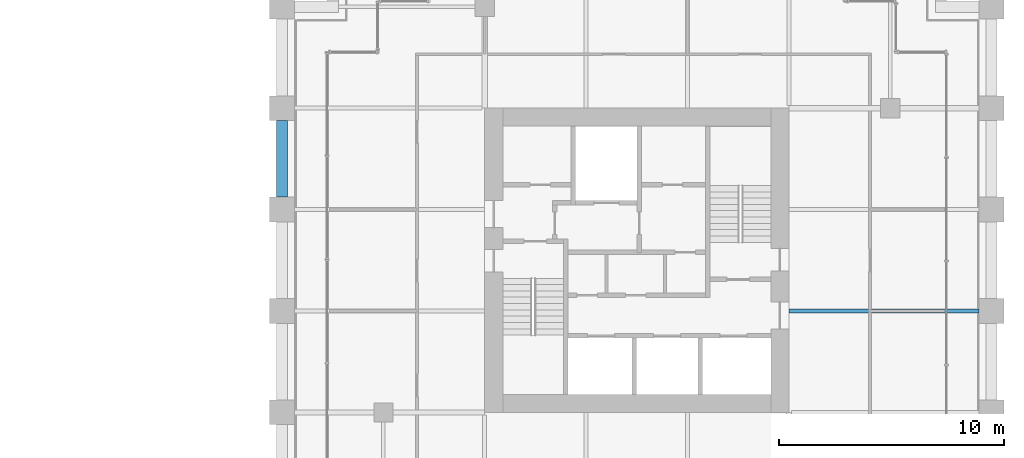
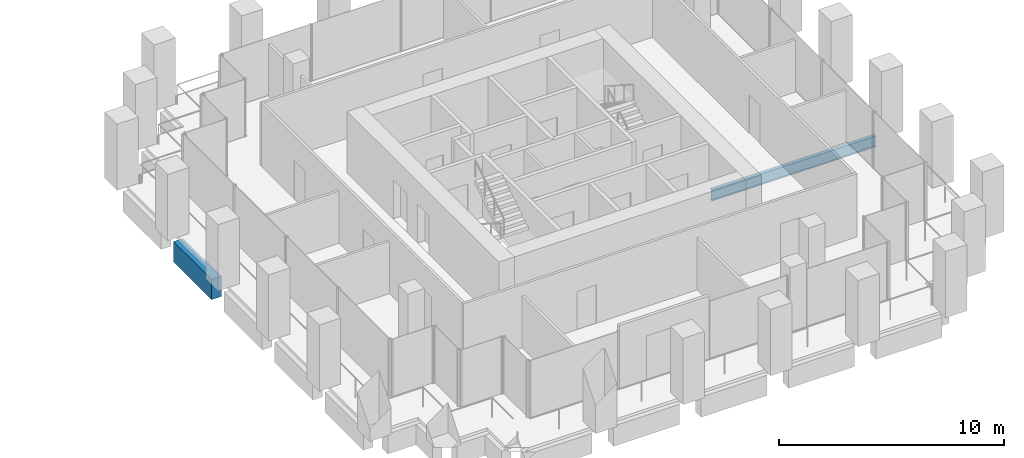
# One storey, part 39 of 56: 2 beams.
"""IFC4 building model written with IfcOpenShell, lengths in metres."""

from ifc_helpers import new_model, si_unit, direction, frame, origin, origin_2d, place, context, subcontext, project, spatial, rectangle, i_section, extrude, material, material_profile, profile_set, type_object, element, save


model = new_model("IFC4")

# Units and contexts
model_context = context("Model", 3, precision=1e-05, world=origin(), true_north=direction((0.0, 1.0)))
body_context = subcontext(model_context, "Body", "Model", "MODEL_VIEW")
ifc_project = project(units=[si_unit("LENGTHUNIT", "METRE"), si_unit("AREAUNIT", "SQUARE_METRE"), si_unit("VOLUMEUNIT", "CUBIC_METRE"), si_unit("PLANEANGLEUNIT", "RADIAN"), si_unit("MASSUNIT", "GRAM", prefix="KILO")], contexts=[model_context])

# Site, building, storey
site_placement = place(None, origin())
site = spatial("IfcSite", under=ifc_project, at=site_placement, CompositionType="ELEMENT")
building_placement = place(site_placement, origin())
building = spatial("IfcBuilding", under=site, at=building_placement, Name="Altepetl Exchange Towers", CompositionType="ELEMENT")
storey_placement = place(building_placement, frame((0.0, 0.0, 72.60009765625)))
storey = spatial("IfcBuildingStorey", under=building, at=storey_placement, Name="L17", CompositionType="ELEMENT", Elevation=72.60009765625)

# Beams
ifc_material_1 = material(Name="Steel S355", Category="steel")
ifc_material_profile_1 = material_profile(ifc_material_1, i_section(OverallWidth=0.177978515625, OverallDepth=0.59912109375, WebThickness=0.010009765625, FlangeThickness=0.0126953125, at=origin_2d()), Name="W24X55")
ifc_profile_set_1 = profile_set([ifc_material_profile_1], Name="Steel S355")
beam_type_1 = type_object("IfcBeamType", Name="Floor beam W24X55", PredefinedType="BEAM", material=ifc_profile_set_1)
beam_1_placement = place(storey_placement, frame((117.0, 40.5, -0.44970703125), z_axis=(1.0, 0.0, 0.0), x_axis=(0.0, 1.0, 0.0)))
element("IfcBeam", 1, at=beam_1_placement, inside=storey, type_object=beam_type_1, Name="bm:B:L17:006", PredefinedType="BEAM", context=body_context, shape_type="SweptSolid", body=[
    extrude(i_section(OverallWidth=0.177978515625, OverallDepth=0.59912109375, WebThickness=0.010009765625, FlangeThickness=0.0126953125, at=origin_2d()), origin(), (0.0, 0.0, 1.0), 8.449951171875),
])
ifc_material_2 = material(Name="Concrete C50/60 precast with cantera rosa facing", Category="concrete")
ifc_material_profile_2 = material_profile(ifc_material_2, rectangle(XDim=0.5, YDim=1.10009765625, at=origin_2d()), Name="500 x 1100")
ifc_profile_set_2 = profile_set([ifc_material_profile_2], Name="Concrete C50/60 precast with cantera rosa facing")
beam_type_2 = type_object("IfcBeamType", Name="Spandrel beam 500x1100 cantera rosa", PredefinedType="SPANDREL", material=ifc_profile_set_2)
beam_2_placement = place(storey_placement, frame((94.5, 48.949951171875, -0.7001953125), z_axis=(0.0, -1.0, 0.0), x_axis=(1.0, 0.0, 0.0)))
element("IfcBeam", 2, at=beam_2_placement, inside=storey, type_object=beam_type_2, Name="sp:B:L17:028", PredefinedType="SPANDREL", context=body_context, shape_type="SweptSolid", body=[
    extrude(rectangle(XDim=0.5, YDim=1.10009765625, at=origin_2d()), origin(), (0.0, 0.0, 1.0), 3.39990234375),
])

save(model, "model.ifc")
